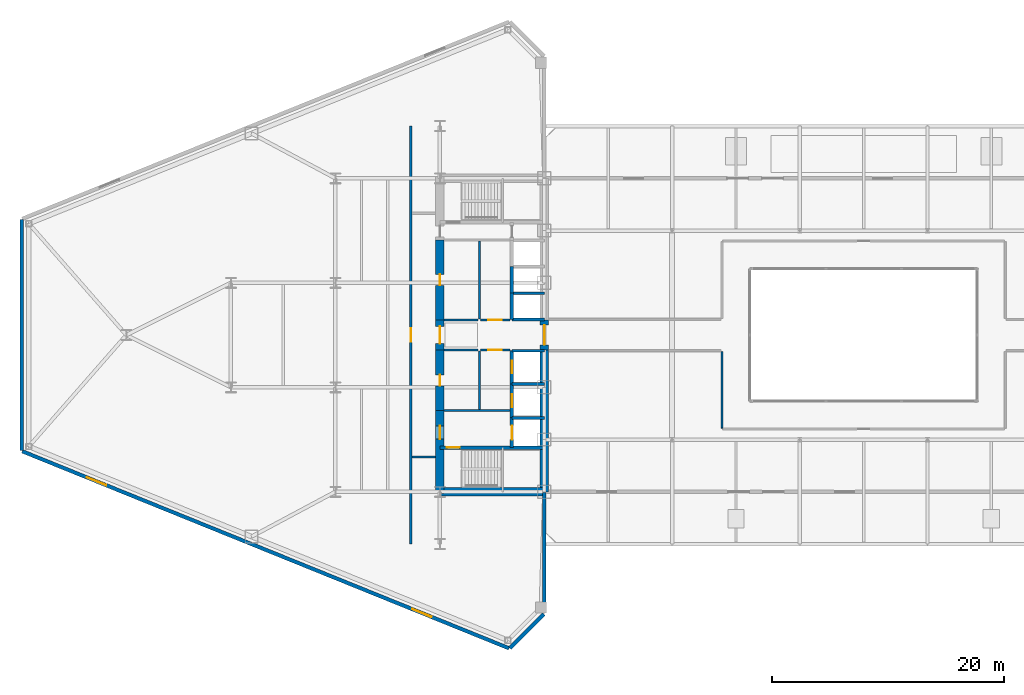
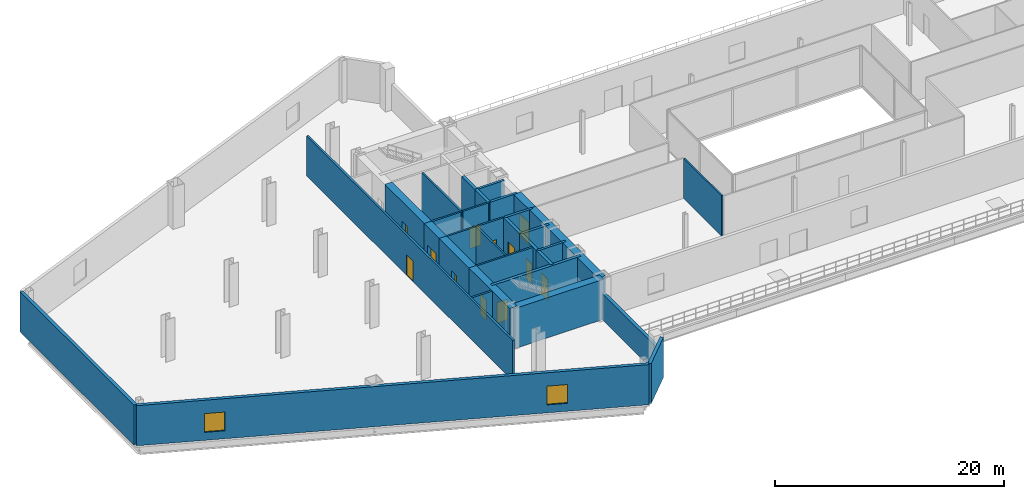
# One storey, part 15 of 23: 32 walls, 12 doors, 2 windows, 14 openings.
"""IFC4 building model written with IfcOpenShell, lengths in metres."""

from ifc_helpers import new_model, si_unit, direction, frame, frame_2d, origin, place, context, subcontext, project, spatial, rectangle, extrude, source, transform, mapped, material, layer, layer_set, type_object, type_shapes, element, fill, save


model = new_model("IFC4")

# Units and contexts
model_context = context("Model", 3, precision=1e-05, world=origin(), true_north=direction((0.0, 1.0)))
body_context = subcontext(model_context, "Body", "Model", "MODEL_VIEW")
ifc_project = project(units=[si_unit("LENGTHUNIT", "METRE"), si_unit("AREAUNIT", "SQUARE_METRE"), si_unit("VOLUMEUNIT", "CUBIC_METRE"), si_unit("PLANEANGLEUNIT", "RADIAN"), si_unit("MASSUNIT", "GRAM", prefix="KILO")], contexts=[model_context])

# Site, building, storey
site_placement = place(None, origin())
site = spatial("IfcSite", under=ifc_project, at=site_placement, CompositionType="ELEMENT")
building_placement = place(site_placement, origin())
building = spatial("IfcBuilding", under=site, at=building_placement, Name="Seokmaru Belvedere", CompositionType="ELEMENT")
storey_placement = place(building_placement, frame((0.0, 0.0, 14.39990234375)))
storey = spatial("IfcBuildingStorey", under=building, at=storey_placement, Name="L03", CompositionType="ELEMENT", Elevation=14.39990234375)

# Walls
ifc_material_1 = material(Name="Fire-Rated Gypsum Shaftwall")
ifc_layer_1 = layer(ifc_material_1, 0.14990234375)
ifc_layer_set_1 = layer_set([ifc_layer_1], Name="Fire-Rated Gypsum Shaftwall")
wall_type_1 = type_object("IfcWallType", Name="Apartment Fire-Acoustic Room Partition 150", PredefinedType="PARTITIONING", material=ifc_layer_set_1)
wall_1_placement = place(storey_placement, frame((-12.199951171875, -8.014892578125, 0.0), z_axis=(0.0, 0.0, 1.0), x_axis=(0.0, 1.0, 0.0)))
element("IfcWall", 1, at=wall_1_placement, inside=storey, type_object=wall_type_1, Name="L03 Interior Partition 013", PredefinedType="PARTITIONING", context=body_context, shape_type="SweptSolid", body=[
    extrude(rectangle(XDim=6.579833984375, YDim=0.14990234375, at=frame_2d((3.2900390625, 0.0))), origin(), (0.0, 0.0, 1.0), 4.280029296875),
])
ifc_layer_2 = layer(ifc_material_1, 0.179931640625)
ifc_layer_set_2 = layer_set([ifc_layer_2], Name="Fire-Rated Gypsum Shaftwall")
wall_type_2 = type_object("IfcWallType", Name="Core Service Fire Partition 180", PredefinedType="PARTITIONING", material=ifc_layer_set_2)
wall_2_placement = place(storey_placement, frame((-36.14990234375, -6.5, 0.0), z_axis=(0.0, 0.0, 1.0), x_axis=(1.0, 0.0, 0.0)))
element("IfcWall", 2, at=wall_2_placement, inside=storey, type_object=wall_type_2, Name="L03 West Firefighting Lobby Partition", PredefinedType="PARTITIONING", context=body_context, shape_type="SweptSolid", body=[
    extrude(rectangle(XDim=5.699951171875, YDim=0.179931640625, at=frame_2d((2.85009765625, 0.0))), origin(), (0.0, 0.0, 1.0), 4.280029296875),
])
wall_3_placement = place(storey_placement, frame((-33.10009765625, -6.419921875, 0.0), z_axis=(0.0, 0.0, 1.0), x_axis=(0.0, 1.0, 0.0)))
element("IfcWall", 3, at=wall_3_placement, inside=storey, type_object=wall_type_2, Name="L03 West South Core Service Back Wall", PredefinedType="PARTITIONING", context=body_context, shape_type="SweptSolid", body=[
    extrude(rectangle(XDim=5.0400390625, YDim=0.179931640625, at=frame_2d((2.52001953125, 0.0))), origin(), (0.0, 0.0, 1.0), 4.280029296875),
])
wall_4_placement = place(storey_placement, frame((-33.10009765625, 1.3798828125, 0.0), z_axis=(0.0, 0.0, 1.0), x_axis=(0.0, 1.0, 0.0)))
element("IfcWall", 4, at=wall_4_placement, inside=storey, type_object=wall_type_2, Name="L03 West North Core Service Back Wall", PredefinedType="PARTITIONING", context=body_context, shape_type="SweptSolid", body=[
    extrude(rectangle(XDim=6.740234375, YDim=0.179931640625, at=frame_2d((3.3701171875, 0.0))), origin(), (0.0, 0.0, 1.0), 4.280029296875),
])

# Wall, opening, door
wall_5_placement = place(storey_placement, frame((-33.02001953125, -1.300048828125, 0.0), z_axis=(0.0, 0.0, 1.0), x_axis=(1.0, 0.0, 0.0)))
wall_5 = element("IfcWall", 5, at=wall_5_placement, inside=storey, type_object=wall_type_2, Name="L03 West South Lift Lobby Foyer Wall", PredefinedType="PARTITIONING", context=body_context, shape_type="SweptSolid", body=[
    extrude(rectangle(XDim=2.570068359375, YDim=0.179931640625, at=frame_2d((1.28515625, 0.0))), origin(), (0.0, 0.0, 1.0), 4.280029296875),
])
opening_1_placement = place(wall_5_placement, frame((0.7099609375, 0.0, 0.0)))
opening_1 = element("IfcOpeningElement", 6, at=opening_1_placement, cuts=wall_5, Name="Opening D02", PredefinedType="OPENING", context=body_context, shape_type="SweptSolid", body=[
    extrude(rectangle(XDim=1.14990234375, YDim=2.199951171875, at=frame_2d((0.574951171875, 1.10009765625))), frame((0.0, 0.10009765625, 0.0), z_axis=(0.0, -1.0, 0.0), x_axis=(1.0, 0.0, 0.0)), (0.0, 0.0, 1.0), 0.199951171875),
])
ifc_material_2 = material(Name="Fire-Rated Steel Leaf", Category="steel")
door_type_1 = type_object("IfcDoorType", Name="Lobby and Vestibule Fire Door 1150x2200", OperationType="NOTDEFINED", PredefinedType="DOOR", material=ifc_material_2)
shared_shape_1 = source(origin(), body_context, "Body", "SweptSolid", [
    extrude(rectangle(XDim=1.14990234375, YDim=2.199951171875, at=frame_2d((0.574951171875, 1.10009765625))), frame((0.0, 0.02490234375, 0.0), z_axis=(0.0, -1.0, 0.0), x_axis=(1.0, 0.0, 0.0)), (0.0, 0.0, 1.0), 0.050048828125),
])
type_shapes(door_type_1, [shared_shape_1])
door_1_placement = place(opening_1_placement, origin())
door_1 = element("IfcDoor", 7, at=door_1_placement, inside=storey, type_object=door_type_1, Name="L03 West South Core Foyer Door", OperationType="SINGLE_SWING_LEFT", OverallHeight=2.199951171875, OverallWidth=1.14990234375, PredefinedType="DOOR", context=body_context, shape_type="MappedRepresentation", body=[
    mapped(shared_shape_1, transform((0.0, 0.0, 0.0), scale=1.0)),
])
fill(opening_1, door_1)

wall_6_placement = place(storey_placement, frame((-33.02001953125, 1.300048828125, 0.0), z_axis=(0.0, 0.0, 1.0), x_axis=(1.0, 0.0, 0.0)))
wall_6 = element("IfcWall", 8, at=wall_6_placement, inside=storey, type_object=wall_type_2, Name="L03 West North Lift Lobby Foyer Wall", PredefinedType="PARTITIONING", context=body_context, shape_type="SweptSolid", body=[
    extrude(rectangle(XDim=2.570068359375, YDim=0.179931640625, at=frame_2d((1.28515625, 0.0))), origin(), (0.0, 0.0, 1.0), 4.280029296875),
])
opening_2_placement = place(wall_6_placement, frame((0.7099609375, 0.0, 0.0)))
opening_2 = element("IfcOpeningElement", 9, at=opening_2_placement, cuts=wall_6, Name="Opening D02", PredefinedType="OPENING", context=body_context, shape_type="SweptSolid", body=[
    extrude(rectangle(XDim=1.14990234375, YDim=2.199951171875, at=frame_2d((0.574951171875, 1.10009765625))), frame((0.0, 0.10009765625, 0.0), z_axis=(0.0, -1.0, 0.0), x_axis=(1.0, 0.0, 0.0)), (0.0, 0.0, 1.0), 0.199951171875),
])
door_2_placement = place(opening_2_placement, origin())
door_2 = element("IfcDoor", 10, at=door_2_placement, inside=storey, type_object=door_type_1, Name="L03 West North Lift Lobby Door", OperationType="SINGLE_SWING_RIGHT", OverallHeight=2.199951171875, OverallWidth=1.14990234375, PredefinedType="DOOR", context=body_context, shape_type="MappedRepresentation", body=[
    mapped(shared_shape_1, transform((0.0, 0.0, 0.0), scale=1.0)),
])
fill(opening_2, door_2)

# Walls
for number, where, z_axis, x_axis, name in (
    (11, (-36.14990234375, -1.300048828125, 0.0), (0.0, 0.0, 1.0), (1.0, 0.0, 0.0), "L03 West Foyer Side Wall S"),
    (12, (-36.14990234375, 1.300048828125, 0.0), (0.0, 0.0, 1.0), (1.0, 0.0, 0.0), "L03 West Foyer Side Wall N"),
):
    element("IfcWall", number, at=place(storey_placement, frame(where, z_axis=z_axis, x_axis=x_axis)), inside=storey, type_object=wall_type_2, Name=name, PredefinedType="PARTITIONING", context=body_context, shape_type="SweptSolid", body=[
        extrude(rectangle(XDim=2.949951171875, YDim=0.179931640625, at=frame_2d((1.47509765625, 0.0))), origin(), (0.0, 0.0, 1.0), 4.280029296875),
    ])
ifc_material_3 = material(Name="Concrete C50 (50 MPa)", Category="concrete")
ifc_layer_3 = layer(ifc_material_3, 0.25)
ifc_layer_set_3 = layer_set([ifc_layer_3], Name="Concrete C50 (50 MPa)")
wall_type_3 = type_object("IfcWallType", Name="Hoistway Transverse Concrete Divider Wall 250", PredefinedType="SHEAR", material=ifc_layer_set_3)
for number, where, z_axis, x_axis, name in (
    (13, (-30.300048828125, -7.14990234375, 0.0), (0.0, 0.0, 1.0), (1.0, 0.0, 0.0), "L03 West Hoistway Divider Core Wall 1"),
    (14, (-30.300048828125, -4.199951171875, 0.0), (0.0, 0.0, 1.0), (1.0, 0.0, 0.0), "L03 West Hoistway Divider Core Wall 2"),
    (15, (-30.300048828125, -1.35009765625, 0.0), (0.0, 0.0, 1.0), (1.0, 0.0, 0.0), "L03 West Hoistway Divider Core Wall 3"),
    (16, (-30.300048828125, 1.35009765625, 0.0), (0.0, 0.0, 1.0), (1.0, 0.0, 0.0), "L03 West Hoistway Divider Core Wall 4"),
    (17, (-30.300048828125, 3.60009765625, 0.0), (0.0, 0.0, 1.0), (1.0, 0.0, 0.0), "L03 West Hoistway Divider Core Wall 5"),
):
    element("IfcWall", number, at=place(storey_placement, frame(where, z_axis=z_axis, x_axis=x_axis)), inside=storey, type_object=wall_type_3, Name=name, PredefinedType="SHEAR", context=body_context, shape_type="SweptSolid", body=[
        extrude(rectangle(XDim=2.800048828125, YDim=0.25, at=frame_2d((1.39990234375, 0.0))), origin(), (0.0, 0.0, 1.0), 4.280029296875),
    ])
ifc_layer_4 = layer(ifc_material_1, 0.199951171875)
ifc_layer_set_4 = layer_set([ifc_layer_4], Name="Fire-Rated Gypsum Shaftwall")
wall_type_4 = type_object("IfcWallType", Name="Inter-Tenancy Fire Compartment Partition 200", PredefinedType="PARTITIONING", material=ifc_layer_set_4)
wall_7_placement = place(storey_placement, frame((-38.9150390625, -10.5, 0.0), z_axis=(0.0, 0.0, 1.0), x_axis=(1.0, 0.0, 0.0)))
element("IfcWall", 18, at=wall_7_placement, inside=storey, type_object=wall_type_4, Name="L03 Interior Partition 001", PredefinedType="PARTITIONING", context=body_context, shape_type="SweptSolid", body=[
    extrude(rectangle(XDim=2.03515625, YDim=0.199951171875, at=frame_2d((1.017578125, 0.0))), origin(), (0.0, 0.0, 1.0), 4.280029296875),
])

# Wall, opening, door
wall_8_placement = place(storey_placement, frame((-39.0, -18.0, 0.0), z_axis=(0.0, 0.0, 1.0), x_axis=(0.0, 1.0, 0.0)))
wall_8 = element("IfcWall", 19, at=wall_8_placement, inside=storey, type_object=wall_type_4, Name="L03 Interior Partition 012", PredefinedType="PARTITIONING", context=body_context, shape_type="SweptSolid", body=[
    extrude(rectangle(XDim=36.0, YDim=0.199951171875, at=frame_2d((18.0, 0.0))), origin(), (0.0, 0.0, 1.0), 4.280029296875),
])
opening_3_placement = place(wall_8_placement, frame((17.425048828125, 0.0, 0.0)))
opening_3 = element("IfcOpeningElement", 20, at=opening_3_placement, cuts=wall_8, Name="Opening D02", PredefinedType="OPENING", context=body_context, shape_type="SweptSolid", body=[
    extrude(rectangle(XDim=1.14990234375, YDim=2.199951171875, at=frame_2d((0.574951171875, 1.10009765625))), frame((0.0, 0.10986328125, 0.0), z_axis=(0.0, -1.0, 0.0), x_axis=(1.0, 0.0, 0.0)), (0.0, 0.0, 1.0), 0.219970703125),
])
door_3_placement = place(opening_3_placement, origin())
door_3 = element("IfcDoor", 21, at=door_3_placement, inside=storey, type_object=door_type_1, Name="L03 Interior Door 001", OperationType="SINGLE_SWING_LEFT", OverallHeight=2.199951171875, OverallWidth=1.14990234375, PredefinedType="DOOR", context=body_context, shape_type="MappedRepresentation", body=[
    mapped(shared_shape_1, transform((0.0, 0.0, 0.0), scale=1.0)),
])
fill(opening_3, door_3)

ifc_layer_5 = layer(ifc_material_3, 0.300048828125)
ifc_layer_set_5 = layer_set([ifc_layer_5], Name="Concrete C50 (50 MPa)")
wall_type_5 = type_object("IfcWallType", Name="Internal Core Stair and Hoistway Wall 300", PredefinedType="SHEAR", material=ifc_layer_set_5)
wall_9_placement = place(storey_placement, frame((-36.5, -9.699951171875, 0.0), z_axis=(0.0, 0.0, 1.0), x_axis=(1.0, 0.0, 0.0)))
wall_9 = element("IfcWall", 22, at=wall_9_placement, inside=storey, type_object=wall_type_5, Name="L03 West Stair ST-1 Enclosure Wall", PredefinedType="SHEAR", context=body_context, shape_type="SweptSolid", body=[
    extrude(rectangle(XDim=9.0, YDim=0.300048828125, at=frame_2d((4.5, 0.0))), origin(), (0.0, 0.0, 1.0), 4.280029296875),
])
opening_4_placement = place(wall_9_placement, frame((0.60009765625, 0.0, 0.0)))
opening_4 = element("IfcOpeningElement", 23, at=opening_4_placement, cuts=wall_9, Name="Opening D01", PredefinedType="OPENING", context=body_context, shape_type="SweptSolid", body=[
    extrude(rectangle(XDim=1.10009765625, YDim=2.199951171875, at=frame_2d((0.550048828125, 1.10009765625))), frame((0.0, 0.16015625, 0.0), z_axis=(0.0, -1.0, 0.0), x_axis=(1.0, 0.0, 0.0)), (0.0, 0.0, 1.0), 0.320068359375),
])
door_type_2 = type_object("IfcDoorType", Name="Special Escape Stair Smokeproof Fire Door 1100x2200", OperationType="NOTDEFINED", PredefinedType="DOOR", material=ifc_material_2)
shared_shape_2 = source(origin(), body_context, "Body", "SweptSolid", [
    extrude(rectangle(XDim=1.10009765625, YDim=2.199951171875, at=frame_2d((0.550048828125, 1.10009765625))), frame((0.0, 0.02490234375, 0.0), z_axis=(0.0, -1.0, 0.0), x_axis=(1.0, 0.0, 0.0)), (0.0, 0.0, 1.0), 0.050048828125),
])
type_shapes(door_type_2, [shared_shape_2])
door_4_placement = place(opening_4_placement, frame((1.10009765625, 0.0, 0.0), z_axis=(0.0, 0.0, 1.0), x_axis=(-1.0, 0.0, 0.0)))
door_4 = element("IfcDoor", 24, at=door_4_placement, inside=storey, type_object=door_type_2, Name="L03 West Special Escape Stair ST-1 Door", OperationType="SINGLE_SWING_LEFT", OverallHeight=2.199951171875, OverallWidth=1.10009765625, PredefinedType="DOOR", context=body_context, shape_type="MappedRepresentation", body=[
    mapped(shared_shape_2, transform((0.0, 0.0, 0.0), scale=1.0)),
])
fill(opening_4, door_4)

wall_10_placement = place(storey_placement, frame((-30.300048828125, -9.679931640625, 0.0), z_axis=(0.0, 0.0, 1.0), x_axis=(0.0, 1.0, 0.0)))
wall_10 = element("IfcWall", 25, at=wall_10_placement, inside=storey, type_object=wall_type_5, Name="L03 West Firefighting Lift Shaft Front Wall", PredefinedType="SHEAR", context=body_context, shape_type="SweptSolid", body=[
    extrude(rectangle(XDim=2.559814453125, YDim=0.300048828125, at=frame_2d((1.27978515625, 0.0))), origin(), (0.0, 0.0, 1.0), 4.280029296875),
])
opening_5_placement = place(wall_10_placement, frame((0.679931640625, 0.0, 0.0)))
opening_5 = element("IfcOpeningElement", 26, at=opening_5_placement, cuts=wall_10, Name="Opening LD2", PredefinedType="OPENING", context=body_context, shape_type="SweptSolid", body=[
    extrude(rectangle(XDim=1.199951171875, YDim=2.25, at=frame_2d((0.60009765625, 1.125))), frame((0.0, 0.16015625, 0.0), z_axis=(0.0, -1.0, 0.0), x_axis=(1.0, 0.0, 0.0)), (0.0, 0.0, 1.0), 0.320068359375),
])
ifc_material_4 = material(Name="Stainless Steel 316", Category="steel")
door_type_3 = type_object("IfcDoorType", Name="Firefighting Lift Sliding Landing Door 1200x2250", OperationType="DOUBLE_DOOR_SLIDING", PredefinedType="DOOR", material=ifc_material_4)
shared_shape_3 = source(origin(), body_context, "Body", "SweptSolid", [
    extrude(rectangle(XDim=1.199951171875, YDim=2.25, at=frame_2d((0.60009765625, 1.125))), frame((0.0, 0.02490234375, 0.0), z_axis=(0.0, -1.0, 0.0), x_axis=(1.0, 0.0, 0.0)), (0.0, 0.0, 1.0), 0.050048828125),
])
type_shapes(door_type_3, [shared_shape_3])
door_5_placement = place(opening_5_placement, origin())
door_5 = element("IfcDoor", 27, at=door_5_placement, inside=storey, type_object=door_type_3, Name="L03 West Firefighting Lift Landing Door", OperationType="DOUBLE_DOOR_SLIDING", OverallHeight=2.25, OverallWidth=1.199951171875, PredefinedType="DOOR", context=body_context, shape_type="MappedRepresentation", body=[
    mapped(shared_shape_3, transform((0.0, 0.0, 0.0), scale=1.0)),
])
fill(opening_5, door_5)

wall_11_placement = place(storey_placement, frame((-30.300048828125, -7.1201171875, 0.0), z_axis=(0.0, 0.0, 1.0), x_axis=(0.0, 1.0, 0.0)))
wall_11 = element("IfcWall", 28, at=wall_11_placement, inside=storey, type_object=wall_type_5, Name="L03 West Low-Rise Lift PL-1 Front Wall", PredefinedType="SHEAR", context=body_context, shape_type="SweptSolid", body=[
    extrude(rectangle(XDim=2.920166015625, YDim=0.300048828125, at=frame_2d((1.4599609375, 0.0))), origin(), (0.0, 0.0, 1.0), 4.280029296875),
])
opening_6_placement = place(wall_11_placement, frame((0.909912109375, 0.0, 0.0)))
opening_6 = element("IfcOpeningElement", 29, at=opening_6_placement, cuts=wall_11, Name="Opening LD1", PredefinedType="OPENING", context=body_context, shape_type="SweptSolid", body=[
    extrude(rectangle(XDim=1.10009765625, YDim=2.199951171875, at=frame_2d((0.550048828125, 1.10009765625))), frame((0.0, 0.16015625, 0.0), z_axis=(0.0, -1.0, 0.0), x_axis=(1.0, 0.0, 0.0)), (0.0, 0.0, 1.0), 0.320068359375),
])
door_type_4 = type_object("IfcDoorType", Name="Passenger Lift Sliding Landing Door 1100x2200", OperationType="DOUBLE_DOOR_SLIDING", PredefinedType="DOOR", material=ifc_material_4)
shared_shape_4 = source(origin(), body_context, "Body", "SweptSolid", [
    extrude(rectangle(XDim=1.10009765625, YDim=2.199951171875, at=frame_2d((0.550048828125, 1.10009765625))), frame((0.0, 0.02490234375, 0.0), z_axis=(0.0, -1.0, 0.0), x_axis=(1.0, 0.0, 0.0)), (0.0, 0.0, 1.0), 0.050048828125),
])
type_shapes(door_type_4, [shared_shape_4])
door_6_placement = place(opening_6_placement, origin())
door_6 = element("IfcDoor", 30, at=door_6_placement, inside=storey, type_object=door_type_4, Name="L03 West Low-Rise Lift PL-1 Landing Door", OperationType="DOUBLE_DOOR_SLIDING", OverallHeight=2.199951171875, OverallWidth=1.10009765625, PredefinedType="DOOR", context=body_context, shape_type="MappedRepresentation", body=[
    mapped(shared_shape_4, transform((0.0, 0.0, 0.0), scale=1.0)),
])
fill(opening_6, door_6)

wall_12_placement = place(storey_placement, frame((-30.300048828125, -4.199951171875, 0.0), z_axis=(0.0, 0.0, 1.0), x_axis=(0.0, 1.0, 0.0)))
wall_12 = element("IfcWall", 31, at=wall_12_placement, inside=storey, type_object=wall_type_5, Name="L03 West Low-Rise Lift PL-2 Front Wall", PredefinedType="SHEAR", context=body_context, shape_type="SweptSolid", body=[
    extrude(rectangle(XDim=2.8798828125, YDim=0.300048828125, at=frame_2d((1.43994140625, 0.0))), origin(), (0.0, 0.0, 1.0), 4.280029296875),
])
opening_7_placement = place(wall_12_placement, frame((0.889892578125, 0.0, 0.0)))
opening_7 = element("IfcOpeningElement", 32, at=opening_7_placement, cuts=wall_12, Name="Opening LD1", PredefinedType="OPENING", context=body_context, shape_type="SweptSolid", body=[
    extrude(rectangle(XDim=1.10009765625, YDim=2.199951171875, at=frame_2d((0.550048828125, 1.10009765625))), frame((0.0, 0.16015625, 0.0), z_axis=(0.0, -1.0, 0.0), x_axis=(1.0, 0.0, 0.0)), (0.0, 0.0, 1.0), 0.320068359375),
])
door_7_placement = place(opening_7_placement, origin())
door_7 = element("IfcDoor", 33, at=door_7_placement, inside=storey, type_object=door_type_4, Name="L03 West Low-Rise Lift PL-2 Landing Door", OperationType="DOUBLE_DOOR_SLIDING", OverallHeight=2.199951171875, OverallWidth=1.10009765625, PredefinedType="DOOR", context=body_context, shape_type="MappedRepresentation", body=[
    mapped(shared_shape_4, transform((0.0, 0.0, 0.0), scale=1.0)),
])
fill(opening_7, door_7)

# Walls
wall_13_placement = place(storey_placement, frame((-30.300048828125, 1.320068359375, 0.0), z_axis=(0.0, 0.0, 1.0), x_axis=(0.0, 1.0, 0.0)))
element("IfcWall", 34, at=wall_13_placement, inside=storey, type_object=wall_type_5, Name="L03 West North Hoistway Wall PH1", PredefinedType="SHEAR", context=body_context, shape_type="SweptSolid", body=[
    extrude(rectangle(XDim=2.280029296875, YDim=0.300048828125, at=frame_2d((1.14013671875, 0.0))), origin(), (0.0, 0.0, 1.0), 4.280029296875),
])
wall_14_placement = place(storey_placement, frame((-30.300048828125, 3.60009765625, 0.0), z_axis=(0.0, 0.0, 1.0), x_axis=(0.0, 1.0, 0.0)))
element("IfcWall", 35, at=wall_14_placement, inside=storey, type_object=wall_type_5, Name="L03 West North Hoistway Wall PH2", PredefinedType="SHEAR", context=body_context, shape_type="SweptSolid", body=[
    extrude(rectangle(XDim=2.2998046875, YDim=0.300048828125, at=frame_2d((1.14990234375, 0.0))), origin(), (0.0, 0.0, 1.0), 4.280029296875),
])
ifc_material_5 = material(Name="Concrete C60 (60 MPa)", Category="concrete")
ifc_layer_6 = layer(ifc_material_5, 0.75)
ifc_layer_set_6 = layer_set([ifc_layer_6], Name="Concrete C60 (60 MPa)")
wall_type_6 = type_object("IfcWallType", Name="Lower Tower Reinforced Concrete Core Wall 750", PredefinedType="SHEAR", material=ifc_layer_set_6)
wall_15_placement = place(storey_placement, frame((-27.5, -13.5, 0.0), z_axis=(0.0, 0.0, 1.0), x_axis=(0.0, 1.0, 0.0)))
element("IfcWall", 36, at=wall_15_placement, inside=storey, type_object=wall_type_6, Name="L03 West Portal Spine Core Wall South", PredefinedType="SHEAR", context=body_context, shape_type="SweptSolid", body=[
    extrude(rectangle(XDim=12.199951171875, YDim=0.75, at=frame_2d((6.10009765625, 0.0))), origin(), (0.0, 0.0, 1.0), 4.280029296875),
])

# Wall, opening, door
wall_16_placement = place(storey_placement, frame((-27.5, -1.300048828125, 0.0), z_axis=(0.0, 0.0, 1.0), x_axis=(0.0, 1.0, 0.0)))
wall_16 = element("IfcWall", 37, at=wall_16_placement, inside=storey, type_object=wall_type_6, Name="L03 West Portal Spine Core Wall Center", PredefinedType="SHEAR", context=body_context, shape_type="SweptSolid", body=[
    extrude(rectangle(XDim=2.60009765625, YDim=0.75, at=frame_2d((1.300048828125, 0.0))), origin(), (0.0, 0.0, 1.0), 4.280029296875),
])
opening_8_placement = place(wall_16_placement, frame((0.449951171875, 0.0, 0.0)))
opening_8 = element("IfcOpeningElement", 38, at=opening_8_placement, cuts=wall_16, Name="Opening D09", PredefinedType="OPENING", context=body_context, shape_type="SweptSolid", body=[
    extrude(rectangle(XDim=1.699951171875, YDim=2.35009765625, at=frame_2d((0.85009765625, 1.175048828125))), frame((0.0, 0.385009765625, 0.0), z_axis=(0.0, -1.0, 0.0), x_axis=(1.0, 0.0, 0.0)), (0.0, 0.0, 1.0), 0.77001953125),
])
door_type_5 = type_object("IfcDoorType", Name="Sky-Gate Bridge Inter-Tower Fire Door 1700x2350", OperationType="DOUBLE_SWING_LEFT", PredefinedType="DOOR", material=ifc_material_2)
shared_shape_5 = source(origin(), body_context, "Body", "SweptSolid", [
    extrude(rectangle(XDim=1.699951171875, YDim=2.35009765625, at=frame_2d((0.85009765625, 1.175048828125))), frame((0.0, 0.02490234375, 0.0), z_axis=(0.0, -1.0, 0.0), x_axis=(1.0, 0.0, 0.0)), (0.0, 0.0, 1.0), 0.050048828125),
])
type_shapes(door_type_5, [shared_shape_5])
door_8_placement = place(opening_8_placement, origin())
door_8 = element("IfcDoor", 39, at=door_8_placement, inside=storey, type_object=door_type_5, Name="L03 West Inter-Tower Fire Door", OperationType="DOUBLE_SWING_LEFT", OverallHeight=2.35009765625, OverallWidth=1.699951171875, PredefinedType="DOOR", context=body_context, shape_type="MappedRepresentation", body=[
    mapped(shared_shape_5, transform((0.0, 0.0, 0.0), scale=1.0)),
])
fill(opening_8, door_8)

# Wall
wall_17_placement = place(storey_placement, frame((-36.5, -13.5, 0.0), z_axis=(0.0, 0.0, 1.0), x_axis=(1.0, 0.0, 0.0)))
element("IfcWall", 40, at=wall_17_placement, inside=storey, type_object=wall_type_6, Name="L03 West South Core Wall", PredefinedType="SHEAR", context=body_context, shape_type="SweptSolid", body=[
    extrude(rectangle(XDim=9.0, YDim=0.75, at=frame_2d((4.5, 0.0))), origin(), (0.0, 0.0, 1.0), 4.280029296875),
])

# Wall, opening, door
wall_18_placement = place(storey_placement, frame((-36.5, -13.64990234375, 0.0), z_axis=(0.0, 0.0, 1.0), x_axis=(0.0, 1.0, 0.0)))
wall_18 = element("IfcWall", 41, at=wall_18_placement, inside=storey, type_object=wall_type_6, Name="L03 West West Core Wall FF", PredefinedType="SHEAR", context=body_context, shape_type="SweptSolid", body=[
    extrude(rectangle(XDim=7.14990234375, YDim=0.75, at=frame_2d((3.574951171875, 0.0))), origin(), (0.0, 0.0, 1.0), 4.280029296875),
])
opening_9_placement = place(wall_18_placement, frame((4.675048828125, 0.0, 0.0)))
opening_9 = element("IfcOpeningElement", 42, at=opening_9_placement, cuts=wall_18, Name="Opening D02", PredefinedType="OPENING", context=body_context, shape_type="SweptSolid", body=[
    extrude(rectangle(XDim=1.14990234375, YDim=2.199951171875, at=frame_2d((0.574951171875, 1.10009765625))), frame((0.0, 0.385009765625, 0.0), z_axis=(0.0, -1.0, 0.0), x_axis=(1.0, 0.0, 0.0)), (0.0, 0.0, 1.0), 0.77001953125),
])
door_9_placement = place(opening_9_placement, frame((1.14990234375, 0.0, 0.0), z_axis=(0.0, 0.0, 1.0), x_axis=(-1.0, 0.0, 0.0)))
door_9 = element("IfcDoor", 43, at=door_9_placement, inside=storey, type_object=door_type_1, Name="L03 West Firefighting Lobby Door", OperationType="SINGLE_SWING_LEFT", OverallHeight=2.199951171875, OverallWidth=1.14990234375, PredefinedType="DOOR", context=body_context, shape_type="MappedRepresentation", body=[
    mapped(shared_shape_1, transform((0.0, 0.0, 0.0), scale=1.0)),
])
fill(opening_9, door_9)

wall_19_placement = place(storey_placement, frame((-36.5, -1.300048828125, 0.0), z_axis=(0.0, 0.0, 1.0), x_axis=(0.0, 1.0, 0.0)))
wall_19 = element("IfcWall", 44, at=wall_19_placement, inside=storey, type_object=wall_type_6, Name="L03 West West Core Wall FOY", PredefinedType="SHEAR", context=body_context, shape_type="SweptSolid", body=[
    extrude(rectangle(XDim=2.60009765625, YDim=0.75, at=frame_2d((1.300048828125, 0.0))), origin(), (0.0, 0.0, 1.0), 4.280029296875),
])
opening_10_placement = place(wall_19_placement, frame((0.550048828125, 0.0, 0.0)))
opening_10 = element("IfcOpeningElement", 45, at=opening_10_placement, cuts=wall_19, Name="Opening D08", PredefinedType="OPENING", context=body_context, shape_type="SweptSolid", body=[
    extrude(rectangle(XDim=1.5, YDim=2.300048828125, at=frame_2d((0.75, 1.14990234375))), frame((0.0, 0.385009765625, 0.0), z_axis=(0.0, -1.0, 0.0), x_axis=(1.0, 0.0, 0.0)), (0.0, 0.0, 1.0), 0.77001953125),
])
door_type_6 = type_object("IfcDoorType", Name="Cross-Corridor Compartment Double Fire Door 1500x2300", OperationType="DOUBLE_SWING_LEFT", PredefinedType="DOOR", material=ifc_material_2)
shared_shape_6 = source(origin(), body_context, "Body", "SweptSolid", [
    extrude(rectangle(XDim=1.5, YDim=2.300048828125, at=frame_2d((0.75, 1.14990234375))), frame((0.0, 0.02490234375, 0.0), z_axis=(0.0, -1.0, 0.0), x_axis=(1.0, 0.0, 0.0)), (0.0, 0.0, 1.0), 0.050048828125),
])
type_shapes(door_type_6, [shared_shape_6])
door_10_placement = place(opening_10_placement, origin())
door_10 = element("IfcDoor", 46, at=door_10_placement, inside=storey, type_object=door_type_6, Name="L03 West Core Foyer Compartment Door", OperationType="DOUBLE_SWING_LEFT", OverallHeight=2.300048828125, OverallWidth=1.5, PredefinedType="DOOR", context=body_context, shape_type="MappedRepresentation", body=[
    mapped(shared_shape_6, transform((0.0, 0.0, 0.0), scale=1.0)),
])
fill(opening_10, door_10)

wall_20_placement = place(storey_placement, frame((-36.5, -6.5, 0.0), z_axis=(0.0, 0.0, 1.0), x_axis=(0.0, 1.0, 0.0)))
wall_20 = element("IfcWall", 47, at=wall_20_placement, inside=storey, type_object=wall_type_6, Name="L03 West West Core Wall CS1", PredefinedType="SHEAR", context=body_context, shape_type="SweptSolid", body=[
    extrude(rectangle(XDim=5.199951171875, YDim=0.75, at=frame_2d((2.60009765625, 0.0))), origin(), (0.0, 0.0, 1.0), 4.280029296875),
])
opening_11_placement = place(wall_20_placement, frame((2.125, 0.0, 0.0)))
opening_11 = element("IfcOpeningElement", 48, at=opening_11_placement, cuts=wall_20, Name="Opening D04", PredefinedType="OPENING", context=body_context, shape_type="SweptSolid", body=[
    extrude(rectangle(XDim=0.949951171875, YDim=2.14990234375, at=frame_2d((0.47509765625, 1.074951171875))), frame((0.0, 0.385009765625, 0.0), z_axis=(0.0, -1.0, 0.0), x_axis=(1.0, 0.0, 0.0)), (0.0, 0.0, 1.0), 0.77001953125),
])
door_type_7 = type_object("IfcDoorType", Name="Core Service Room Fire Door 950x2150", OperationType="NOTDEFINED", PredefinedType="DOOR", material=ifc_material_2)
shared_shape_7 = source(origin(), body_context, "Body", "SweptSolid", [
    extrude(rectangle(XDim=0.949951171875, YDim=2.14990234375, at=frame_2d((0.47509765625, 1.074951171875))), frame((0.0, 0.02490234375, 0.0), z_axis=(0.0, -1.0, 0.0), x_axis=(1.0, 0.0, 0.0)), (0.0, 0.0, 1.0), 0.050048828125),
])
type_shapes(door_type_7, [shared_shape_7])
door_11_placement = place(opening_11_placement, origin())
door_11 = element("IfcDoor", 49, at=door_11_placement, inside=storey, type_object=door_type_7, Name="L03 West Core Service Room Door 1", OperationType="SINGLE_SWING_LEFT", OverallHeight=2.14990234375, OverallWidth=0.949951171875, PredefinedType="DOOR", context=body_context, shape_type="MappedRepresentation", body=[
    mapped(shared_shape_7, transform((0.0, 0.0, 0.0), scale=1.0)),
])
fill(opening_11, door_11)

wall_21_placement = place(storey_placement, frame((-36.5, 1.300048828125, 0.0), z_axis=(0.0, 0.0, 1.0), x_axis=(0.0, 1.0, 0.0)))
wall_21 = element("IfcWall", 50, at=wall_21_placement, inside=storey, type_object=wall_type_6, Name="L03 West West Core Wall CS2", PredefinedType="SHEAR", context=body_context, shape_type="SweptSolid", body=[
    extrude(rectangle(XDim=6.89990234375, YDim=0.75, at=frame_2d((3.449951171875, 0.0))), origin(), (0.0, 0.0, 1.0), 4.280029296875),
])
opening_12_placement = place(wall_21_placement, frame((2.97509765625, 0.0, 0.0)))
opening_12 = element("IfcOpeningElement", 51, at=opening_12_placement, cuts=wall_21, Name="Opening D04", PredefinedType="OPENING", context=body_context, shape_type="SweptSolid", body=[
    extrude(rectangle(XDim=0.949951171875, YDim=2.14990234375, at=frame_2d((0.47509765625, 1.074951171875))), frame((0.0, 0.385009765625, 0.0), z_axis=(0.0, -1.0, 0.0), x_axis=(1.0, 0.0, 0.0)), (0.0, 0.0, 1.0), 0.77001953125),
])
door_12_placement = place(opening_12_placement, origin())
door_12 = element("IfcDoor", 52, at=door_12_placement, inside=storey, type_object=door_type_7, Name="L03 West Core Service Room Door 2", OperationType="SINGLE_SWING_RIGHT", OverallHeight=2.14990234375, OverallWidth=0.949951171875, PredefinedType="DOOR", context=body_context, shape_type="MappedRepresentation", body=[
    mapped(shared_shape_7, transform((0.0, 0.0, 0.0), scale=1.0)),
])
fill(opening_12, door_12)

# Wall, openings, windows
ifc_material_6 = material(Name="Concrete C40 (40 MPa)", Category="concrete")
ifc_layer_7 = layer(ifc_material_6, 0.320068359375)
ifc_layer_set_7 = layer_set([ifc_layer_7], Name="Concrete C40 (40 MPa)")
wall_type_7 = type_object("IfcWallType", Name="Podium Terrace Insulated Wall 320", PredefinedType="SOLIDWALL", material=ifc_layer_set_7)
wall_22_placement = place(storey_placement, frame((-72.462890625, -10.014892578125, 0.0), z_axis=(0.0, 0.0, 1.0), x_axis=(0.926944846568, -0.375197616492, 0.0)))
wall_22 = element("IfcWall", 53, at=wall_22_placement, inside=storey, type_object=wall_type_7, Name="L03 Exterior Podium Wall 01", PredefinedType="SOLIDWALL", context=body_context, shape_type="SweptSolid", body=[
    extrude(rectangle(XDim=45.22998046875, YDim=0.320068359375, at=frame_2d((22.614990234375, 0.0))), origin(), (0.0, 0.0, 1.0), 4.280029296875),
])
opening_13_placement = place(wall_22_placement, frame((6.0, 0.0, 0.85009765625)))
opening_13 = element("IfcOpeningElement", 54, at=opening_13_placement, cuts=wall_22, Name="Opening WN2", PredefinedType="OPENING", context=body_context, shape_type="SweptSolid", body=[
    extrude(rectangle(XDim=1.800048828125, YDim=2.0, at=frame_2d((0.89990234375, 1.0))), frame((0.0, 0.169921875, 0.0), z_axis=(0.0, -1.0, 0.0), x_axis=(1.0, 0.0, 0.0)), (0.0, 0.0, 1.0), 0.340087890625),
])
opening_14_placement = place(wall_22_placement, frame((36.22998046875, 0.0, 0.85009765625)))
opening_14 = element("IfcOpeningElement", 55, at=opening_14_placement, cuts=wall_22, Name="Opening WN2", PredefinedType="OPENING", context=body_context, shape_type="SweptSolid", body=[
    extrude(rectangle(XDim=1.800048828125, YDim=2.0, at=frame_2d((0.89990234375, 1.0))), frame((0.0, 0.169921875, 0.0), z_axis=(0.0, -1.0, 0.0), x_axis=(1.0, 0.0, 0.0)), (0.0, 0.0, 1.0), 0.340087890625),
])
ifc_material_7 = material(Name="Bronze Triple Insulating Glass", Category="glass")
window_type = type_object("IfcWindowType", Name="Podium Gallery Window 1800x2000", PartitioningType="SINGLE_PANEL", PredefinedType="WINDOW", material=ifc_material_7)
shared_shape_8 = source(origin(), body_context, "Body", "SweptSolid", [
    extrude(rectangle(XDim=1.800048828125, YDim=2.0, at=frame_2d((0.89990234375, 1.0))), frame((0.0, 0.030029296875, 0.0), z_axis=(0.0, -1.0, 0.0), x_axis=(1.0, 0.0, 0.0)), (0.0, 0.0, 1.0), 0.06005859375),
])
type_shapes(window_type, [shared_shape_8])
window_1_placement = place(opening_13_placement, origin())
window_1 = element("IfcWindow", 56, at=window_1_placement, inside=storey, type_object=window_type, Name="L03 Podium Gallery Window 0-1", OverallHeight=2.0, OverallWidth=1.800048828125, PartitioningType="SINGLE_PANEL", PredefinedType="WINDOW", context=body_context, shape_type="MappedRepresentation", body=[
    mapped(shared_shape_8, transform((0.0, 0.0, 0.0), scale=1.0)),
])
fill(opening_13, window_1)
window_2_placement = place(opening_14_placement, origin())
window_2 = element("IfcWindow", 57, at=window_2_placement, inside=storey, type_object=window_type, Name="L03 Podium Gallery Window 0-2", OverallHeight=2.0, OverallWidth=1.800048828125, PartitioningType="SINGLE_PANEL", PredefinedType="WINDOW", context=body_context, shape_type="MappedRepresentation", body=[
    mapped(shared_shape_8, transform((0.0, 0.0, 0.0), scale=1.0)),
])
fill(opening_14, window_2)

# Walls
wall_23_placement = place(storey_placement, frame((-30.4716796875, -26.9716796875, 0.0), z_axis=(0.0, 0.0, 1.0), x_axis=(0.707106781187, 0.707106781187, 0.0)))
element("IfcWall", 58, at=wall_23_placement, inside=storey, type_object=wall_type_7, Name="L03 Exterior Podium Wall 02", PredefinedType="SOLIDWALL", context=body_context, shape_type="SweptSolid", body=[
    extrude(rectangle(XDim=4.16259765625, YDim=0.320068359375, at=frame_2d((2.081298828125, 0.0))), origin(), (0.0, 0.0, 1.0), 4.280029296875),
])
wall_24_placement = place(storey_placement, frame((-27.5, -23.949951171875, 0.0), z_axis=(0.0, 0.0, 1.0), x_axis=(0.0, 1.0, 0.0)))
element("IfcWall", 59, at=wall_24_placement, inside=storey, type_object=wall_type_7, Name="L03 Exterior Podium Spine Wall 03S", PredefinedType="SOLIDWALL", context=body_context, shape_type="SweptSolid", body=[
    extrude(rectangle(XDim=10.39990234375, YDim=0.320068359375, at=frame_2d((5.199951171875, 0.0))), origin(), (0.0, 0.0, 1.0), 2.780029296875),
])
wall_25_placement = place(storey_placement, frame((-72.5, 9.9599609375, 0.0), z_axis=(0.0, 0.0, 1.0), x_axis=(0.0, -1.0, 0.0)))
element("IfcWall", 60, at=wall_25_placement, inside=storey, type_object=wall_type_7, Name="L03 Exterior Podium Wall 16", PredefinedType="SOLIDWALL", context=body_context, shape_type="SweptSolid", body=[
    extrude(rectangle(XDim=19.919921875, YDim=0.320068359375, at=frame_2d((9.9599609375, 0.0))), origin(), (0.0, 0.0, 1.0), 4.280029296875),
])

save(model, "model.ifc")
